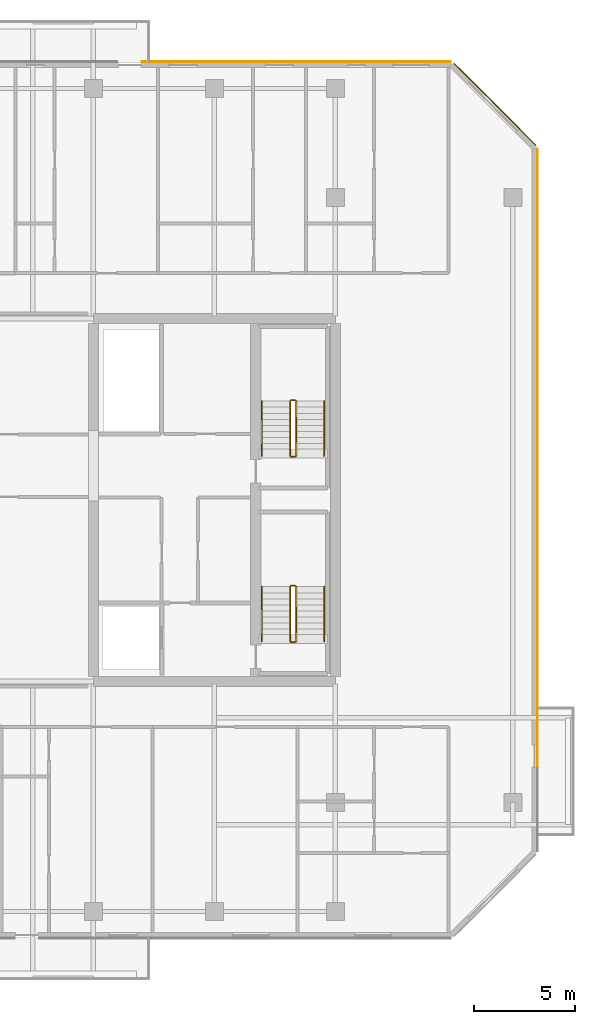
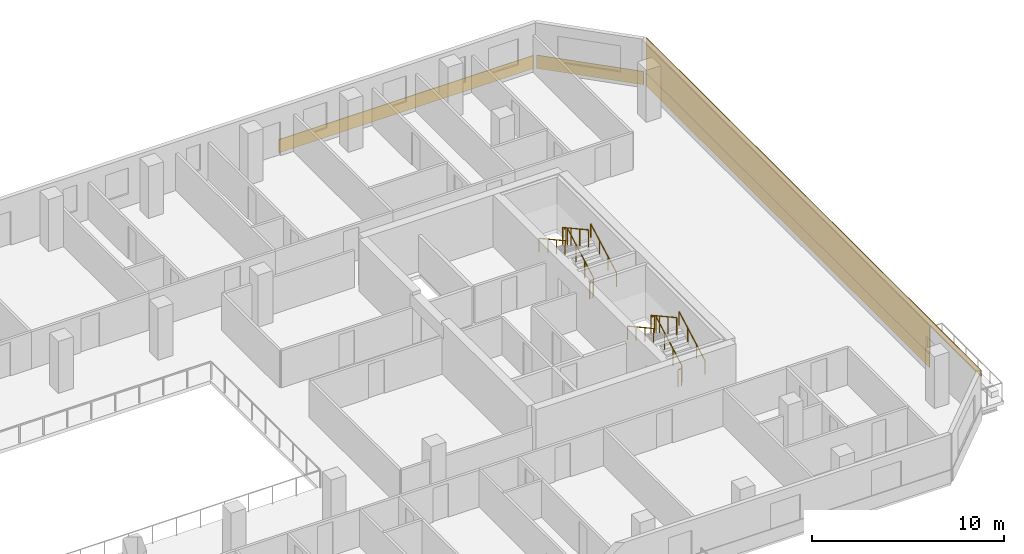
# One storey, part 19 of 19: 12 railings, 5 coverings.
"""IFC4 building model written with IfcOpenShell, lengths in metres."""

from ifc_helpers import new_model, si_unit, direction, frame, origin, origin_2d, place, context, subcontext, project, spatial, rectangle, extrude, material, layer, layer_set, type_object, element, save


model = new_model("IFC4")

# Units and contexts
model_context = context("Model", 3, precision=1e-05, world=origin(), true_north=direction((0.0, 1.0)))
body_context = subcontext(model_context, "Body", "Model", "MODEL_VIEW")
ifc_project = project(units=[si_unit("LENGTHUNIT", "METRE"), si_unit("AREAUNIT", "SQUARE_METRE"), si_unit("VOLUMEUNIT", "CUBIC_METRE"), si_unit("PLANEANGLEUNIT", "RADIAN"), si_unit("MASSUNIT", "GRAM", prefix="KILO")], contexts=[model_context])

# Site, building, storey
site_placement = place(None, origin())
site = spatial("IfcSite", under=ifc_project, at=site_placement, CompositionType="ELEMENT")
building_placement = place(site_placement, origin())
building = spatial("IfcBuilding", under=site, at=building_placement, Name="Tanjung Sevakor Pilgrim Tower", CompositionType="ELEMENT")
storey_placement = place(building_placement, frame((0.0, 0.0, 138.60009765625)))
storey = spatial("IfcBuildingStorey", under=building, at=storey_placement, Name="L38", CompositionType="ELEMENT", Elevation=138.60009765625)

# Coverings
ifc_material_1 = material(Name="Reconstructed Limestone Cladding", Category="masonry")
ifc_layer = layer(ifc_material_1, 0.044921875)
ifc_layer_set = layer_set([ifc_layer], Name="COV-CLAD-LIMESTONE")
covering_type = type_object("IfcCoveringType", Name="COV-CLAD-LIMESTONE", PredefinedType="CLADDING", material=ifc_layer_set)
covering_1_placement = place(storey_placement, frame((100.0224609375, 36.259033203125, 0.009765625), z_axis=(0.0, 0.0, 1.0), x_axis=(0.0, 1.0, 0.0)))
element("IfcCovering", 1, at=covering_1_placement, inside=storey, type_object=covering_type, Name="L38 Warm Limestone Sill Spandrel EW-L38-MAIN-7-2", PredefinedType="CLADDING", context=body_context, shape_type="SweptSolid", body=[
    extrude(rectangle(XDim=29.498291015625, YDim=0.044921875, at=origin_2d()), origin(), (0.0, 0.0, 1.0), 0.840087890625),
])
covering_2_placement = place(storey_placement, frame((100.0224609375, 33.60009765625, 2.66015625), z_axis=(0.0, 0.0, 1.0), x_axis=(0.0, 1.0, 0.0)))
element("IfcCovering", 2, at=covering_2_placement, inside=storey, type_object=covering_type, Name="L38 Warm Limestone Cornice Spandrel EW-L38-MAIN-7", PredefinedType="CLADDING", context=body_context, shape_type="SweptSolid", body=[
    extrude(rectangle(XDim=34.8564453125, YDim=0.044921875, at=origin_2d()), origin(), (0.0, 0.0, 1.0), 0.409912109375),
])
covering_3_placement = place(storey_placement, frame((100.0224609375, 36.254150390625, 0.849853515625), z_axis=(0.0, 0.0, 1.0), x_axis=(0.0, 1.0, 0.0)))
element("IfcCovering", 3, at=covering_3_placement, inside=storey, type_object=covering_type, Name="L38 Warm Limestone Pier Panel EW-L38-MAIN-7-1", PredefinedType="CLADDING", context=body_context, shape_type="SweptSolid", body=[
    extrude(rectangle(XDim=29.50830078125, YDim=0.044921875, at=origin_2d()), origin(), (0.0, 0.0, 1.0), 1.81005859375),
])
covering_4_placement = place(storey_placement, frame((97.916015625, 53.2158203125, 0.009765625), z_axis=(0.0, 0.0, 1.0), x_axis=(-0.707106781187, 0.707106781187, 0.0)))
element("IfcCovering", 4, at=covering_4_placement, inside=storey, type_object=covering_type, Name="L38 Warm Limestone Sill Spandrel EW-CHM-L38-MAIN-7-1", PredefinedType="CLADDING", context=body_context, shape_type="SweptSolid", body=[
    extrude(rectangle(XDim=5.756103515625, YDim=0.044921875, at=origin_2d()), origin(), (0.0, 0.0, 1.0), 0.840087890625),
])
covering_5_placement = place(storey_placement, frame((88.05908203125, 55.322509765625, 0.009765625), z_axis=(0.0, 0.0, 1.0), x_axis=(-1.0, 0.0, 0.0)))
element("IfcCovering", 5, at=covering_5_placement, inside=storey, type_object=covering_type, Name="L38 Warm Limestone Sill Spandrel EW-L38-MAIN-9-1", PredefinedType="CLADDING", context=body_context, shape_type="SweptSolid", body=[
    extrude(rectangle(XDim=15.298095703125, YDim=0.044921875, at=origin_2d()), origin(), (0.0, 0.0, 1.0), 0.840087890625),
])

# Railings
ifc_material_2 = material(Name="Steel S355J2", Category="steel")
railing_type_1 = type_object("IfcRailingType", Name="RL-STAIR-GUARD", PredefinedType="GUARDRAIL", material=ifc_material_2)
railing_1_placement = place(storey_placement, frame((88.050048828125, 26.60009765625, 0.164794921875)))
element("IfcRailing", 6, at=railing_1_placement, inside=storey, type_object=railing_type_1, Name="L38 TS-E1 stair guard 1", PredefinedType="GUARDRAIL", context=body_context, shape_type="SweptSolid", body=[
    extrude(rectangle(XDim=0.0479, YDim=0.0479), frame((0.0, 0.0, 1.076171875), z_axis=(0.0, 0.876197507361, 0.481952205197), x_axis=(-1.0, 0.0, 0.0)), (0.0, 0.0, 1.0), 3.08154296875),
    extrude(rectangle(XDim=0.042, YDim=0.042), origin(), (0.0, 0.0, 1.0), 1.052001953125),
    extrude(rectangle(XDim=0.042, YDim=0.042), frame((0.0, 0.89990234375, 0.4951171875)), (0.0, 0.0, 1.0), 1.052001953125),
    extrude(rectangle(XDim=0.042, YDim=0.042), frame((0.0, 1.800048828125, 0.989990234375)), (0.0, 0.0, 1.0), 1.052001953125),
    extrude(rectangle(XDim=0.042, YDim=0.042), frame((0.0, 2.699951171875, 1.485107421875)), (0.0, 0.0, 1.0), 1.052001953125),
])
railing_2_placement = place(storey_placement, frame((88.0, 29.35009765625, 1.64990234375)))
element("IfcRailing", 7, at=railing_2_placement, inside=storey, type_object=railing_type_1, Name="L38 TS-E1 stair guard 2", PredefinedType="GUARDRAIL", context=body_context, shape_type="SweptSolid", body=[
    extrude(rectangle(XDim=0.0479, YDim=0.0479), frame((0.0, 0.0, 1.076171875), z_axis=(-1.0, 0.0, 0.0), x_axis=(0.0, -1.0, 0.0)), (0.0, 0.0, 1.0), 0.199951171875),
    extrude(rectangle(XDim=0.042, YDim=0.042), origin(), (0.0, 0.0, 1.0), 1.052001953125),
    extrude(rectangle(XDim=0.042, YDim=0.042), frame((-0.199951171875, 0.0, 0.0)), (0.0, 0.0, 1.0), 1.052001953125),
])
railing_3_placement = place(storey_placement, frame((87.75, 29.300048828125, 1.81494140625)))
element("IfcRailing", 8, at=railing_3_placement, inside=storey, type_object=railing_type_1, Name="L38 TS-E1 stair guard 3", PredefinedType="GUARDRAIL", context=body_context, shape_type="SweptSolid", body=[
    extrude(rectangle(XDim=0.0479, YDim=0.0479), frame((0.0, 0.0, 1.076171875), z_axis=(0.0, -0.876230963923, 0.481891375584), x_axis=(1.0, 0.0, 0.0)), (0.0, 0.0, 1.0), 3.081298828125),
    extrude(rectangle(XDim=0.042, YDim=0.042), origin(), (0.0, 0.0, 1.0), 1.052001953125),
    extrude(rectangle(XDim=0.042, YDim=0.042), frame((0.0, -0.89990234375, 0.494873046875)), (0.0, 0.0, 1.0), 1.052001953125),
    extrude(rectangle(XDim=0.042, YDim=0.042), frame((0.0, -1.800048828125, 0.989990234375)), (0.0, 0.0, 1.0), 1.052001953125),
    extrude(rectangle(XDim=0.042, YDim=0.042), frame((0.0, -2.699951171875, 1.48486328125)), (0.0, 0.0, 1.0), 1.052001953125),
])
railing_4_placement = place(storey_placement, frame((88.0, 26.550048828125, 0.0)))
element("IfcRailing", 9, at=railing_4_placement, inside=storey, type_object=railing_type_1, Name="L38 TS-E1 stair guard 4", PredefinedType="GUARDRAIL", context=body_context, shape_type="SweptSolid", body=[
    extrude(rectangle(XDim=0.0479, YDim=0.0479), frame((0.0, 0.0, 1.076171875), z_axis=(-1.0, 0.0, 0.0), x_axis=(0.0, -1.0, 0.0)), (0.0, 0.0, 1.0), 0.199951171875),
    extrude(rectangle(XDim=0.042, YDim=0.042), origin(), (0.0, 0.0, 1.0), 1.052001953125),
    extrude(rectangle(XDim=0.042, YDim=0.042), frame((-0.199951171875, 0.0, 0.0)), (0.0, 0.0, 1.0), 1.052001953125),
])
railing_5_placement = place(storey_placement, frame((88.050048828125, 35.800048828125, 0.164794921875)))
element("IfcRailing", 10, at=railing_5_placement, inside=storey, type_object=railing_type_1, Name="L38 TS-E2 stair guard 1", PredefinedType="GUARDRAIL", context=body_context, shape_type="SweptSolid", body=[
    extrude(rectangle(XDim=0.0479, YDim=0.0479), frame((0.0, 0.0, 1.076171875), z_axis=(0.0, 0.876197507361, 0.481952205197), x_axis=(-1.0, 0.0, 0.0)), (0.0, 0.0, 1.0), 3.08154296875),
    extrude(rectangle(XDim=0.042, YDim=0.042), origin(), (0.0, 0.0, 1.0), 1.052001953125),
    extrude(rectangle(XDim=0.042, YDim=0.042), frame((0.0, 0.89990234375, 0.4951171875)), (0.0, 0.0, 1.0), 1.052001953125),
    extrude(rectangle(XDim=0.042, YDim=0.042), frame((0.0, 1.800048828125, 0.989990234375)), (0.0, 0.0, 1.0), 1.052001953125),
    extrude(rectangle(XDim=0.042, YDim=0.042), frame((0.0, 2.699951171875, 1.485107421875)), (0.0, 0.0, 1.0), 1.052001953125),
])
railing_6_placement = place(storey_placement, frame((88.0, 38.550048828125, 1.64990234375)))
element("IfcRailing", 11, at=railing_6_placement, inside=storey, type_object=railing_type_1, Name="L38 TS-E2 stair guard 2", PredefinedType="GUARDRAIL", context=body_context, shape_type="SweptSolid", body=[
    extrude(rectangle(XDim=0.0479, YDim=0.0479), frame((0.0, 0.0, 1.076171875), z_axis=(-1.0, 0.0, 0.0), x_axis=(0.0, -1.0, 0.0)), (0.0, 0.0, 1.0), 0.199951171875),
    extrude(rectangle(XDim=0.042, YDim=0.042), origin(), (0.0, 0.0, 1.0), 1.052001953125),
    extrude(rectangle(XDim=0.042, YDim=0.042), frame((-0.199951171875, 0.0, 0.0)), (0.0, 0.0, 1.0), 1.052001953125),
])
railing_7_placement = place(storey_placement, frame((87.75, 38.5, 1.81494140625)))
element("IfcRailing", 12, at=railing_7_placement, inside=storey, type_object=railing_type_1, Name="L38 TS-E2 stair guard 3", PredefinedType="GUARDRAIL", context=body_context, shape_type="SweptSolid", body=[
    extrude(rectangle(XDim=0.0479, YDim=0.0479), frame((0.0, 0.0, 1.076171875), z_axis=(0.0, -0.876230963923, 0.481891375584), x_axis=(1.0, 0.0, 0.0)), (0.0, 0.0, 1.0), 3.081298828125),
    extrude(rectangle(XDim=0.042, YDim=0.042), origin(), (0.0, 0.0, 1.0), 1.052001953125),
    extrude(rectangle(XDim=0.042, YDim=0.042), frame((0.0, -0.89990234375, 0.494873046875)), (0.0, 0.0, 1.0), 1.052001953125),
    extrude(rectangle(XDim=0.042, YDim=0.042), frame((0.0, -1.800048828125, 0.989990234375)), (0.0, 0.0, 1.0), 1.052001953125),
    extrude(rectangle(XDim=0.042, YDim=0.042), frame((0.0, -2.699951171875, 1.48486328125)), (0.0, 0.0, 1.0), 1.052001953125),
])
railing_8_placement = place(storey_placement, frame((88.0, 35.75, 0.0)))
element("IfcRailing", 13, at=railing_8_placement, inside=storey, type_object=railing_type_1, Name="L38 TS-E2 stair guard 4", PredefinedType="GUARDRAIL", context=body_context, shape_type="SweptSolid", body=[
    extrude(rectangle(XDim=0.0479, YDim=0.0479), frame((0.0, 0.0, 1.076171875), z_axis=(-1.0, 0.0, 0.0), x_axis=(0.0, -1.0, 0.0)), (0.0, 0.0, 1.0), 0.199951171875),
    extrude(rectangle(XDim=0.042, YDim=0.042), origin(), (0.0, 0.0, 1.0), 1.052001953125),
    extrude(rectangle(XDim=0.042, YDim=0.042), frame((-0.199951171875, 0.0, 0.0)), (0.0, 0.0, 1.0), 1.052001953125),
])
ifc_material_3 = material(Name="Steel S355J2", Category="steel")
railing_type_2 = type_object("IfcRailingType", Name="RL-STAIR-HAND", PredefinedType="HANDRAIL", material=ifc_material_3)
railing_9_placement = place(storey_placement, frame((89.449951171875, 26.60009765625, 0.164794921875)))
element("IfcRailing", 14, at=railing_9_placement, inside=storey, type_object=railing_type_2, Name="L38 TS-E1 stair handrail 1", PredefinedType="HANDRAIL", context=body_context, shape_type="SweptSolid", body=[
    extrude(rectangle(XDim=0.0479, YDim=0.0479), frame((0.0, 0.0, 0.8759765625), z_axis=(0.0, 0.876197507361, 0.481952205197), x_axis=(-1.0, 0.0, 0.0)), (0.0, 0.0, 1.0), 3.08154296875),
    extrude(rectangle(XDim=0.042, YDim=0.042), origin(), (0.0, 0.0, 1.0), 0.851806640625),
    extrude(rectangle(XDim=0.042, YDim=0.042), frame((0.0, 0.89990234375, 0.4951171875)), (0.0, 0.0, 1.0), 0.851806640625),
    extrude(rectangle(XDim=0.042, YDim=0.042), frame((0.0, 1.800048828125, 0.989990234375)), (0.0, 0.0, 1.0), 0.851806640625),
    extrude(rectangle(XDim=0.042, YDim=0.042), frame((0.0, 2.699951171875, 1.485107421875)), (0.0, 0.0, 1.0), 0.851806640625),
])
railing_10_placement = place(storey_placement, frame((86.35009765625, 29.300048828125, 1.81494140625)))
element("IfcRailing", 15, at=railing_10_placement, inside=storey, type_object=railing_type_2, Name="L38 TS-E1 stair handrail 2", PredefinedType="HANDRAIL", context=body_context, shape_type="SweptSolid", body=[
    extrude(rectangle(XDim=0.0479, YDim=0.0479), frame((0.0, 0.0, 0.8759765625), z_axis=(0.0, -0.876230963923, 0.481891375584), x_axis=(1.0, 0.0, 0.0)), (0.0, 0.0, 1.0), 3.081298828125),
    extrude(rectangle(XDim=0.042, YDim=0.042), origin(), (0.0, 0.0, 1.0), 0.851806640625),
    extrude(rectangle(XDim=0.042, YDim=0.042), frame((0.0, -0.89990234375, 0.494873046875)), (0.0, 0.0, 1.0), 0.851806640625),
    extrude(rectangle(XDim=0.042, YDim=0.042), frame((0.0, -1.800048828125, 0.989990234375)), (0.0, 0.0, 1.0), 0.851806640625),
    extrude(rectangle(XDim=0.042, YDim=0.042), frame((0.0, -2.699951171875, 1.48486328125)), (0.0, 0.0, 1.0), 0.851806640625),
])
railing_11_placement = place(storey_placement, frame((89.449951171875, 35.800048828125, 0.164794921875)))
element("IfcRailing", 16, at=railing_11_placement, inside=storey, type_object=railing_type_2, Name="L38 TS-E2 stair handrail 1", PredefinedType="HANDRAIL", context=body_context, shape_type="SweptSolid", body=[
    extrude(rectangle(XDim=0.0479, YDim=0.0479), frame((0.0, 0.0, 0.8759765625), z_axis=(0.0, 0.876197507361, 0.481952205197), x_axis=(-1.0, 0.0, 0.0)), (0.0, 0.0, 1.0), 3.08154296875),
    extrude(rectangle(XDim=0.042, YDim=0.042), origin(), (0.0, 0.0, 1.0), 0.851806640625),
    extrude(rectangle(XDim=0.042, YDim=0.042), frame((0.0, 0.89990234375, 0.4951171875)), (0.0, 0.0, 1.0), 0.851806640625),
    extrude(rectangle(XDim=0.042, YDim=0.042), frame((0.0, 1.800048828125, 0.989990234375)), (0.0, 0.0, 1.0), 0.851806640625),
    extrude(rectangle(XDim=0.042, YDim=0.042), frame((0.0, 2.699951171875, 1.485107421875)), (0.0, 0.0, 1.0), 0.851806640625),
])
railing_12_placement = place(storey_placement, frame((86.35009765625, 38.5, 1.81494140625)))
element("IfcRailing", 17, at=railing_12_placement, inside=storey, type_object=railing_type_2, Name="L38 TS-E2 stair handrail 2", PredefinedType="HANDRAIL", context=body_context, shape_type="SweptSolid", body=[
    extrude(rectangle(XDim=0.0479, YDim=0.0479), frame((0.0, 0.0, 0.8759765625), z_axis=(0.0, -0.876230963923, 0.481891375584), x_axis=(1.0, 0.0, 0.0)), (0.0, 0.0, 1.0), 3.081298828125),
    extrude(rectangle(XDim=0.042, YDim=0.042), origin(), (0.0, 0.0, 1.0), 0.851806640625),
    extrude(rectangle(XDim=0.042, YDim=0.042), frame((0.0, -0.89990234375, 0.494873046875)), (0.0, 0.0, 1.0), 0.851806640625),
    extrude(rectangle(XDim=0.042, YDim=0.042), frame((0.0, -1.800048828125, 0.989990234375)), (0.0, 0.0, 1.0), 0.851806640625),
    extrude(rectangle(XDim=0.042, YDim=0.042), frame((0.0, -2.699951171875, 1.48486328125)), (0.0, 0.0, 1.0), 0.851806640625),
])

save(model, "model.ifc")
